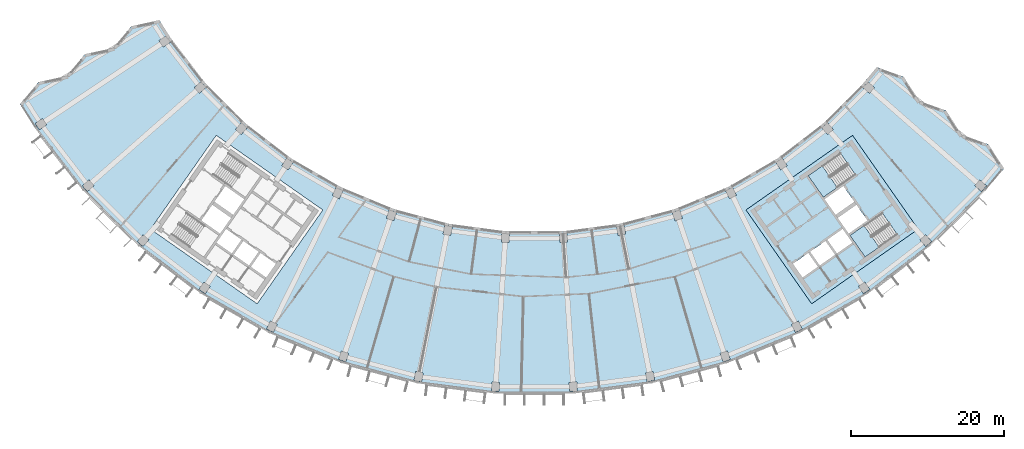
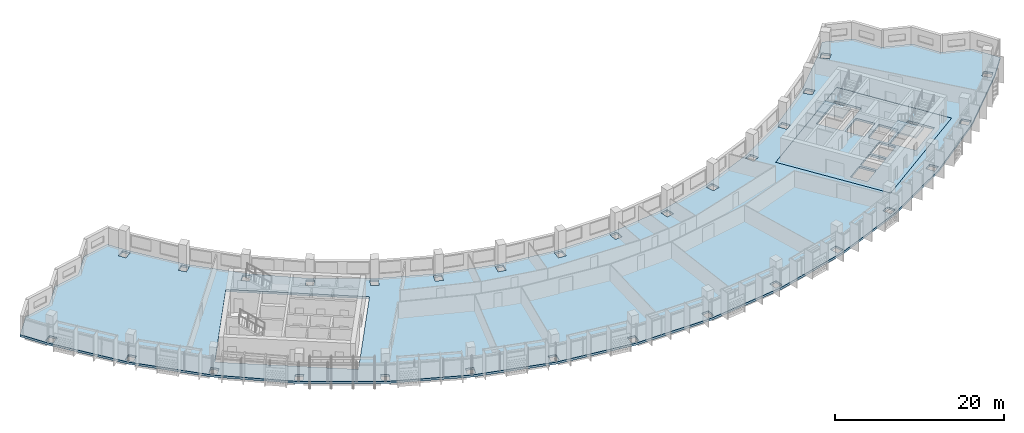
# One storey, part 2 of 28: 4 slabs, 2 elements without a shape of their own.
"""IFC4 building model written with IfcOpenShell, lengths in metres."""

from ifc_helpers import new_model, si_unit, direction, frame, origin, place, context, subcontext, project, spatial, polyline, outline, extrude, material, layer, layer_set, type_object, element, aggregate, save


model = new_model("IFC4")

# Units and contexts
model_context = context("Model", 3, precision=1e-05, world=origin(), true_north=direction((0.0, 1.0)))
body_context = subcontext(model_context, "Body", "Model", "MODEL_VIEW")
ifc_project = project(units=[si_unit("LENGTHUNIT", "METRE"), si_unit("AREAUNIT", "SQUARE_METRE"), si_unit("VOLUMEUNIT", "CUBIC_METRE"), si_unit("PLANEANGLEUNIT", "RADIAN"), si_unit("MASSUNIT", "GRAM", prefix="KILO")], contexts=[model_context])

# Site, building, storey
site_placement = place(None, origin())
site = spatial("IfcSite", under=ifc_project, at=site_placement, CompositionType="ELEMENT")
building_placement = place(site_placement, origin())
building = spatial("IfcBuilding", under=site, at=building_placement, Name="Qamariyya Broadcast Tower", CompositionType="ELEMENT")
storey_placement = place(building_placement, frame((0.0, 0.0, 249.300048828125)))
storey = spatial("IfcBuildingStorey", under=building, at=storey_placement, Name="L60", CompositionType="ELEMENT", Elevation=249.300048828125)

# Slabs
ifc_material_1 = material(Name="Concrete C40/50", Category="concrete")
ifc_layer_1 = layer(ifc_material_1, 0.300048828125)
ifc_layer_set_1 = layer_set([ifc_layer_1], Name="Core floor slab 300 mm Concrete C40/50")
slab_type_1 = type_object("IfcSlabType", Name="Core floor slab 300 mm Concrete C40/50", PredefinedType="FLOOR", material=ifc_layer_set_1)
slab_1_placement = place(storey_placement, frame((0.0, 0.0, -0.300048828125)))
element("IfcSlab", 1, at=slab_1_placement, inside=storey, type_object=slab_type_1, Name="k-E-L60-slab", PredefinedType="FLOOR", context=body_context, shape_type="SweptSolid", body=[
    extrude(outline(polyline([(36.32373046875, -66.734375), (50.286376953125, -56.95751953125), (41.6826171875, -44.67041015625), (27.719970703125, -54.447021484375), (36.32373046875, -66.734375)]), holes=[polyline([(33.87353515625, -61.49169921875), (35.88037109375, -60.08642578125), (37.142333984375, -61.888427734375), (35.13525390625, -63.293701171875), (33.87353515625, -61.49169921875)]), polyline([(36.126220703125, -59.914306640625), (38.133056640625, -58.509033203125), (39.394775390625, -60.311279296875), (37.387939453125, -61.716552734375), (36.126220703125, -59.914306640625)]), polyline([(38.378662109375, -58.3369140625), (40.3857421875, -56.931640625), (41.6474609375, -58.73388671875), (39.640625, -60.13916015625), (38.378662109375, -58.3369140625)]), polyline([(39.742431640625, -55.489990234375), (42.199951171875, -53.769287109375), (43.6337890625, -55.817138671875), (41.17626953125, -57.537841796875), (39.742431640625, -55.489990234375)]), polyline([(39.45556640625, -55.080322265625), (41.9130859375, -53.359619140625), (40.47900390625, -51.311767578125), (38.021728515625, -53.032470703125), (39.45556640625, -55.080322265625)]), polyline([(40.082275390625, -47.01171875), (35.870849609375, -49.960693359375), (37.849609375, -52.78662109375), (42.06103515625, -49.837890625), (40.082275390625, -47.01171875)]), polyline([(45.559814453125, -54.834716796875), (41.348388671875, -57.783447265625), (43.3271484375, -60.609619140625), (47.538818359375, -57.66064453125), (45.559814453125, -54.834716796875)])]), origin(), (0.0, 0.0, 1.0), 0.300048828125),
])
ifc_layer_2 = layer(ifc_material_1, 0.300048828125)
ifc_layer_set_2 = layer_set([ifc_layer_2], Name="Post-tensioned floor slab 300 C40/50")
slab_type_2 = type_object("IfcSlabType", Name="Post-tensioned floor slab 300 C40/50", PredefinedType="FLOOR", material=ifc_layer_set_2)
slab_2_placement = place(storey_placement, frame((0.0, 0.0, -0.300048828125)))
element("IfcSlab", 2, at=slab_2_placement, inside=storey, type_object=slab_type_2, Name="Floor slab S4 L60", PredefinedType="FLOOR", context=body_context, shape_type="SweptSolid", body=[
    extrude(outline(polyline([(-64.961181640625, -37.68359375), (-67.392578125, -40.546875), (-65.39501953125, -43.695556640625), (-59.132080078125, -51.857666015625), (-51.857666015625, -59.132080078125), (-43.695556640625, -65.39501953125), (-34.785888671875, -70.5390625), (-25.28125, -74.47607421875), (-15.34375, -77.138671875), (-5.14404296875, -78.481689453125), (5.14404296875, -78.481689453125), (15.34375, -77.138671875), (25.28125, -74.47607421875), (34.785888671875, -70.5390625), (43.695556640625, -65.39501953125), (51.857666015625, -59.132080078125), (59.132080078125, -51.857666015625), (61.523681640625, -48.99658203125), (59.486572265625, -45.84033203125), (55.9697265625, -44.573486328125), (53.931884765625, -41.416748046875), (50.415771484375, -40.150390625), (48.376953125, -36.992919921875), (44.86181640625, -35.727294921875), (43.117919921875, -37.8134765625), (37.8134765625, -43.117919921875), (31.862060546875, -47.684814453125), (25.365234375, -51.435546875), (18.4345703125, -54.306396484375), (11.1884765625, -56.248046875), (3.7509765625, -57.227294921875), (-3.7509765625, -57.227294921875), (-11.1884765625, -56.248046875), (-18.4345703125, -54.306396484375), (-25.365234375, -51.435546875), (-31.862060546875, -47.684814453125), (-37.8134765625, -43.117919921875), (-43.117919921875, -37.8134765625), (-47.684814453125, -31.862060546875), (-49.141357421875, -29.56591796875), (-52.791748046875, -30.36181640625), (-55.22509765625, -33.226318359375), (-58.87646484375, -34.02294921875), (-61.308837890625, -36.88671875), (-64.961181640625, -37.68359375)]), holes=[polyline([(-5.62158203125, -78.12451171875), (-5.54638671875, -76.97705078125), (-4.548583984375, -77.04248046875), (-4.623779296875, -78.18994140625), (-5.62158203125, -78.12451171875)]), polyline([(-15.770751953125, -76.722412109375), (-15.54638671875, -75.594482421875), (-14.565673828125, -75.78955078125), (-14.7900390625, -76.91748046875), (-15.770751953125, -76.722412109375)]), polyline([(-25.650146484375, -74.007568359375), (-25.280517578125, -72.918701171875), (-24.333740234375, -73.239990234375), (-24.703369140625, -74.3291015625), (-25.650146484375, -74.007568359375)]), polyline([(-35.090576171875, -70.0263671875), (-34.58203125, -68.9951171875), (-33.685302734375, -69.437255859375), (-34.19384765625, -70.46875), (-35.090576171875, -70.0263671875)]), polyline([(-43.9306640625, -64.84716796875), (-43.291748046875, -63.890869140625), (-42.46044921875, -64.446533203125), (-43.099365234375, -65.402587890625), (-43.9306640625, -64.84716796875)]), polyline([(-52.019287109375, -58.55810546875), (-51.260986328125, -57.693603515625), (-50.509033203125, -58.35302734375), (-51.267333984375, -59.217529296875), (-52.019287109375, -58.55810546875)]), polyline([(-11.966552734375, -57.59716796875), (-11.7421875, -56.46923828125), (-10.761474609375, -56.664306640625), (-10.98583984375, -57.792236328125), (-11.966552734375, -57.59716796875)]), polyline([(-50.286376953125, -56.95751953125), (-41.6826171875, -44.67041015625), (-27.719970703125, -54.447021484375), (-36.32373046875, -66.734375), (-50.286376953125, -56.95751953125)]), polyline([(-19.382080078125, -55.54248046875), (-19.012451171875, -54.453369140625), (-18.065673828125, -54.77490234375), (-18.435302734375, -55.86376953125), (-19.382080078125, -55.54248046875)]), polyline([(-26.466064453125, -52.537353515625), (-25.95751953125, -51.506103515625), (-25.060546875, -51.9482421875), (-25.569091796875, -52.979736328125), (-26.466064453125, -52.537353515625)]), polyline([(-59.217529296875, -51.267333984375), (-58.35302734375, -50.509033203125), (-57.693603515625, -51.260986328125), (-58.55810546875, -52.019287109375), (-59.217529296875, -51.267333984375)]), polyline([(-33.09716796875, -48.63330078125), (-32.458251953125, -47.67724609375), (-31.626708984375, -48.23291015625), (-32.265625, -49.18896484375), (-33.09716796875, -48.63330078125)]), polyline([(-39.161865234375, -43.897216796875), (-38.40380859375, -43.03271484375), (-37.65185546875, -43.692138671875), (-38.41015625, -44.556640625), (-39.161865234375, -43.897216796875)]), polyline([(-65.402587890625, -43.099365234375), (-64.446533203125, -42.46044921875), (-63.890869140625, -43.291748046875), (-64.84716796875, -43.9306640625), (-65.402587890625, -43.099365234375)]), polyline([(-44.556640625, -38.41015625), (-43.692138671875, -37.65185546875), (-43.03271484375, -38.40380859375), (-43.897216796875, -39.161865234375), (-44.556640625, -38.41015625)]), polyline([(-49.18896484375, -32.265625), (-48.23291015625, -31.626708984375), (-47.67724609375, -32.458251953125), (-48.63330078125, -33.09716796875), (-49.18896484375, -32.265625)]), polyline([(4.623779296875, -78.18994140625), (4.548583984375, -77.04248046875), (5.54638671875, -76.97705078125), (5.62158203125, -78.12451171875), (4.623779296875, -78.18994140625)]), polyline([(14.7900390625, -76.91748046875), (14.565673828125, -75.78955078125), (15.54638671875, -75.594482421875), (15.770751953125, -76.722412109375), (14.7900390625, -76.91748046875)]), polyline([(24.703369140625, -74.3291015625), (24.333740234375, -73.239990234375), (25.280517578125, -72.918701171875), (25.650146484375, -74.007568359375), (24.703369140625, -74.3291015625)]), polyline([(34.19384765625, -70.46875), (33.685302734375, -69.437255859375), (34.58203125, -68.9951171875), (35.090576171875, -70.0263671875), (34.19384765625, -70.46875)]), polyline([(43.099365234375, -65.402587890625), (42.46044921875, -64.446533203125), (43.291748046875, -63.890869140625), (43.9306640625, -64.84716796875), (43.099365234375, -65.402587890625)]), polyline([(51.267333984375, -59.217529296875), (50.509033203125, -58.35302734375), (51.260986328125, -57.693603515625), (52.019287109375, -58.55810546875), (51.267333984375, -59.217529296875)]), polyline([(-4.34619140625, -58.666259765625), (-4.27099609375, -57.518798828125), (-3.273193359375, -57.584228515625), (-3.348388671875, -58.731689453125), (-4.34619140625, -58.666259765625)]), polyline([(3.348388671875, -58.731689453125), (3.273193359375, -57.584228515625), (4.27099609375, -57.518798828125), (4.34619140625, -58.666259765625), (3.348388671875, -58.731689453125)]), polyline([(10.98583984375, -57.792236328125), (10.761474609375, -56.664306640625), (11.7421875, -56.46923828125), (11.966552734375, -57.59716796875), (10.98583984375, -57.792236328125)]), polyline([(36.32373046875, -66.734375), (27.719970703125, -54.447021484375), (41.6826171875, -44.67041015625), (50.286376953125, -56.95751953125), (36.32373046875, -66.734375)]), polyline([(18.435302734375, -55.86376953125), (18.065673828125, -54.77490234375), (19.012451171875, -54.453369140625), (19.382080078125, -55.54248046875), (18.435302734375, -55.86376953125)]), polyline([(25.569091796875, -52.979736328125), (25.060546875, -51.9482421875), (25.95751953125, -51.506103515625), (26.466064453125, -52.537353515625), (25.569091796875, -52.979736328125)]), polyline([(58.55810546875, -52.019287109375), (57.693603515625, -51.260986328125), (58.35302734375, -50.509033203125), (59.217529296875, -51.267333984375), (58.55810546875, -52.019287109375)]), polyline([(32.265625, -49.18896484375), (31.626708984375, -48.23291015625), (32.458251953125, -47.67724609375), (33.09716796875, -48.63330078125), (32.265625, -49.18896484375)]), polyline([(38.41015625, -44.556640625), (37.65185546875, -43.692138671875), (38.40380859375, -43.03271484375), (39.161865234375, -43.897216796875), (38.41015625, -44.556640625)]), polyline([(43.897216796875, -39.161865234375), (43.03271484375, -38.40380859375), (43.692138671875, -37.65185546875), (44.556640625, -38.41015625), (43.897216796875, -39.161865234375)])]), origin(), (0.0, 0.0, 1.0), 0.300048828125),
])

# Stair, slab
ifc_material_2 = material(Name="Concrete C50/60", Category="concrete")
stair_type = type_object("IfcStairType", Name="Exit stair 22 risers of 173 mm", PredefinedType="HALF_TURN_STAIR", material=ifc_material_2)
stair_1_placement = place(storey_placement, origin())
stair_1 = element("IfcStair", 3, at=stair_1_placement, inside=storey, type_object=stair_type, Name="L60 Stair E2", PredefinedType="HALF_TURN_STAIR")
ifc_layer_3 = layer(ifc_material_2, 0.199951171875)
ifc_layer_set_3 = layer_set([ifc_layer_3], Name="Stair landing")
slab_type_3 = type_object("IfcSlabType", Name="Stair landing", PredefinedType="LANDING", material=ifc_layer_set_3)
slab_3_placement = place(storey_placement, frame((0.0, 0.0, 1.699951171875)))
slab_3 = element("IfcSlab", 4, at=slab_3_placement, type_object=slab_type_3, Name="ST-E2 landing 1", PredefinedType="LANDING", context=body_context, shape_type="SweptSolid", body=[
    extrude(outline(polyline([(37.71337890625, -48.67041015625), (35.870849609375, -49.960693359375), (37.849609375, -52.78662109375), (39.692138671875, -51.49658203125), (37.71337890625, -48.67041015625)])), origin(), (0.0, 0.0, 1.0), 0.199951171875),
])
aggregate(stair_1, [slab_3])

stair_2_placement = place(storey_placement, origin())
stair_2 = element("IfcStair", 5, at=stair_2_placement, inside=storey, type_object=stair_type, Name="L60 Stair E1", PredefinedType="HALF_TURN_STAIR")
slab_4_placement = place(storey_placement, frame((0.0, 0.0, 1.699951171875)))
slab_4 = element("IfcSlab", 6, at=slab_4_placement, type_object=slab_type_3, Name="ST-E1 landing 1", PredefinedType="LANDING", context=body_context, shape_type="SweptSolid", body=[
    extrude(outline(polyline([(43.19091796875, -56.493408203125), (41.348388671875, -57.783447265625), (43.3271484375, -60.609619140625), (45.169677734375, -59.319580078125), (43.19091796875, -56.493408203125)])), origin(), (0.0, 0.0, 1.0), 0.199951171875),
])
aggregate(stair_2, [slab_4])

save(model, "model.ifc")
